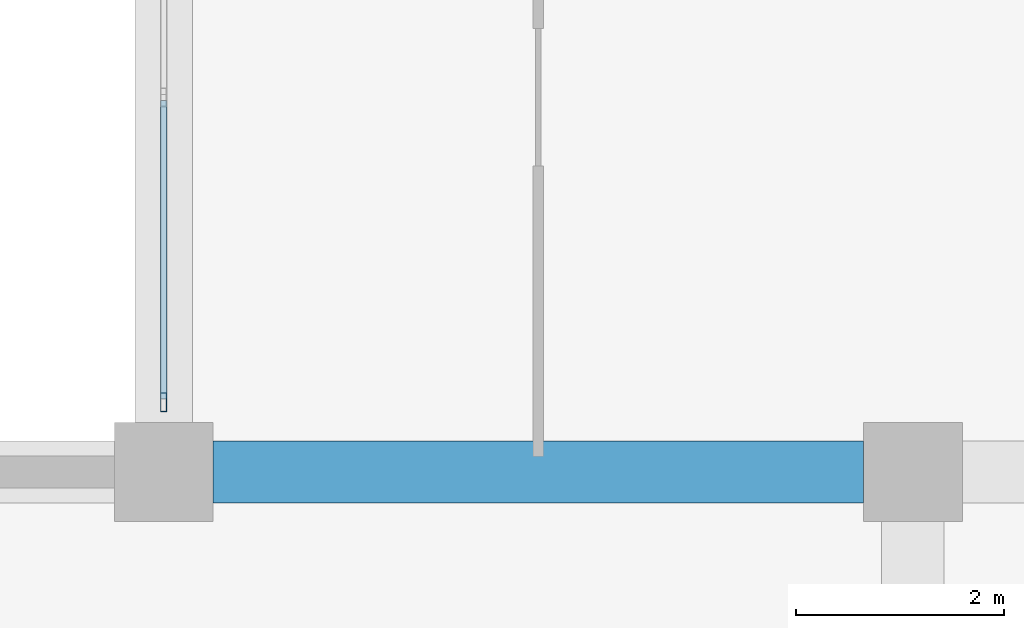
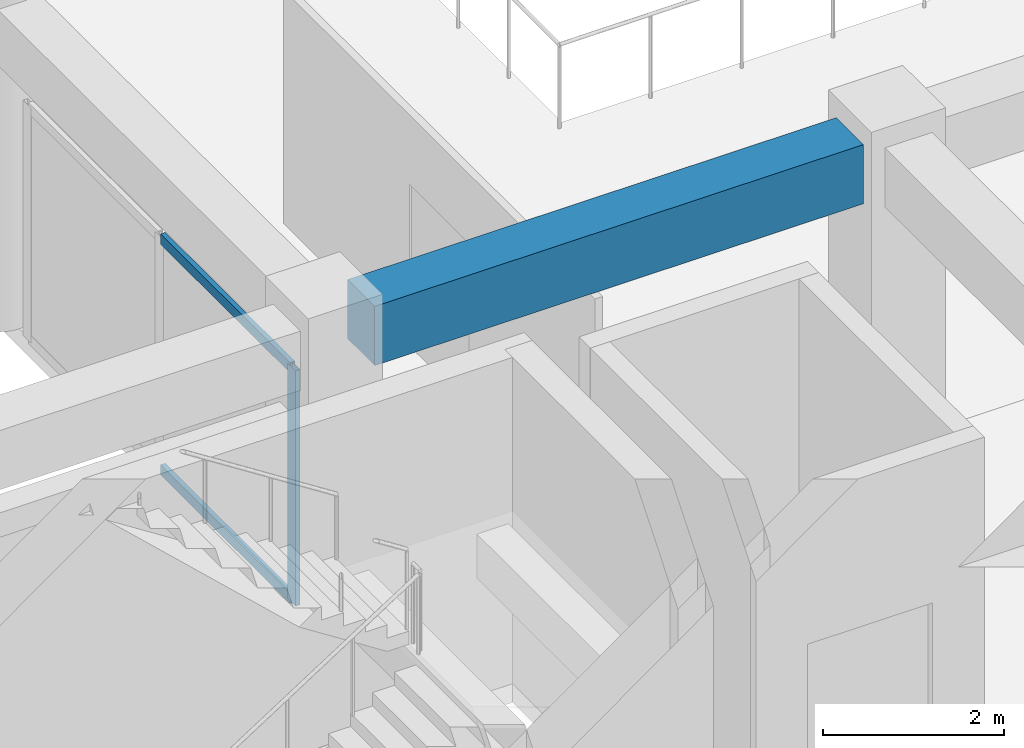
# One storey, part 5 of 54: 3 members, 1 beam, 1 element without a shape of its own.
"""IFC4 building model written with IfcOpenShell, lengths in metres."""

from ifc_helpers import new_model, si_unit, direction, frame, origin, origin_2d, place, context, subcontext, project, spatial, rectangle, hollow_rectangle, extrude, material, material_profile, profile_set, type_object, element, aggregate, save


model = new_model("IFC4")

# Units and contexts
model_context = context("Model", 3, precision=1e-05, world=origin(), true_north=direction((0.0, 1.0)))
body_context = subcontext(model_context, "Body", "Model", "MODEL_VIEW")
ifc_project = project(units=[si_unit("LENGTHUNIT", "METRE"), si_unit("AREAUNIT", "SQUARE_METRE"), si_unit("VOLUMEUNIT", "CUBIC_METRE"), si_unit("PLANEANGLEUNIT", "RADIAN"), si_unit("MASSUNIT", "GRAM", prefix="KILO")], contexts=[model_context])

# Site, building, storey
site_placement = place(None, origin())
site = spatial("IfcSite", under=ifc_project, at=site_placement, CompositionType="ELEMENT")
building_placement = place(site_placement, origin())
building = spatial("IfcBuilding", under=site, at=building_placement, Name="Kazehaya Institute of Natural Sciences", CompositionType="ELEMENT")
storey_placement = place(building_placement, frame((0.0, 0.0, 10.43994140625)))
storey = spatial("IfcBuildingStorey", under=building, at=storey_placement, Name="L02", CompositionType="ELEMENT", Elevation=10.43994140625)

# Beam
ifc_material_1 = material(Name="Concrete Fc36", Category="concrete")
ifc_material_profile_1 = material_profile(ifc_material_1, rectangle(XDim=0.60009765625, YDim=0.800048828125, at=origin_2d()), Name="RC-600x800")
ifc_profile_set_1 = profile_set([ifc_material_profile_1], Name="Concrete Fc36")
beam_type = type_object("IfcBeamType", Name="BM-G-600x800", PredefinedType="BEAM", material=ifc_profile_set_1)
beam_placement = place(storey_placement, frame((62.27490234375, 35.60009765625, 4.010009765625), z_axis=(1.0, 0.0, 0.0), x_axis=(0.0, 1.0, 0.0)))
element("IfcBeam", 1, at=beam_placement, inside=storey, type_object=beam_type, Name="L02 primary X girder BMX-L02-618-356", PredefinedType="BEAM", context=body_context, shape_type="SweptSolid", body=[
    extrude(rectangle(XDim=0.60009765625, YDim=0.800048828125, at=origin_2d()), origin(), (0.0, 0.0, 1.0), 6.25),
])

# Curtain wall, members
ifc_material_2 = material(Name="Aluminium alloy A6063S-T5", Category="aluminium")
curtain_wall_type = type_object("IfcCurtainWallType", Name="CW-SYS-03", PredefinedType="NOTDEFINED", material=ifc_material_2)
curtain_wall_placement = place(storey_placement, origin())
curtain_wall = element("IfcCurtainWall", 2, at=curtain_wall_placement, inside=storey, type_object=curtain_wall_type, Name="L02 unitised curtain wall CW-L02-023", PredefinedType="NOTDEFINED")
ifc_material_profile_2 = material_profile(ifc_material_2, hollow_rectangle(XDim=0.06005859375, YDim=0.179931640625, WallThickness=0.00390625, at=origin_2d()), Name="ALU-60x180x4")
ifc_profile_set_2 = profile_set([ifc_material_profile_2], Name="Aluminium alloy A6063S-T5")
member_type_1 = type_object("IfcMemberType", Name="CWM-180", PredefinedType="MULLION", material=ifc_profile_set_2)
member_1_placement = place(storey_placement, frame((61.800048828125, 36.27001953125, 0.0), z_axis=(0.0, 0.0, 1.0), x_axis=(-1.0, 0.0, 0.0)))
member_1 = element("IfcMember", 3, at=member_1_placement, type_object=member_type_1, Name="CW03 mullion 1", PredefinedType="MULLION", context=body_context, shape_type="SweptSolid", body=[
    extrude(hollow_rectangle(XDim=0.06005859375, YDim=0.179931640625, WallThickness=0.00390625, at=origin_2d()), origin(), (0.0, 0.0, 1.0), 3.18017578125),
])
ifc_material_profile_3 = material_profile(ifc_material_2, hollow_rectangle(XDim=0.06005859375, YDim=0.139892578125, WallThickness=0.00341796875, at=origin_2d()), Name="ALU-60x140x3.5")
ifc_profile_set_3 = profile_set([ifc_material_profile_3], Name="Aluminium alloy A6063S-T5")
member_type_2 = type_object("IfcMemberType", Name="CWT-140", PredefinedType="USERDEFINED", material=ifc_profile_set_3)
member_2_placement = place(storey_placement, frame((61.800048828125, 36.300048828125, 0.030029296875), z_axis=(0.0, 1.0, 0.0), x_axis=(-1.0, 0.0, 0.0)))
member_2 = element("IfcMember", 4, at=member_2_placement, type_object=member_type_2, Name="CW03 transom 1.1", ObjectType="TRANSOM", PredefinedType="USERDEFINED", context=body_context, shape_type="SweptSolid", body=[
    extrude(hollow_rectangle(XDim=0.06005859375, YDim=0.139892578125, WallThickness=0.00341796875, at=origin_2d()), origin(), (0.0, 0.0, 1.0), 2.869873046875),
])
member_3_placement = place(storey_placement, frame((61.800048828125, 36.300048828125, 3.150146484375), z_axis=(0.0, 1.0, 0.0), x_axis=(-1.0, 0.0, 0.0)))
member_3 = element("IfcMember", 5, at=member_3_placement, type_object=member_type_2, Name="CW03 transom 1.2", ObjectType="TRANSOM", PredefinedType="USERDEFINED", context=body_context, shape_type="SweptSolid", body=[
    extrude(hollow_rectangle(XDim=0.06005859375, YDim=0.139892578125, WallThickness=0.00341796875, at=origin_2d()), origin(), (0.0, 0.0, 1.0), 2.869873046875),
])
aggregate(curtain_wall, [member_1, member_2, member_3])

save(model, "model.ifc")
